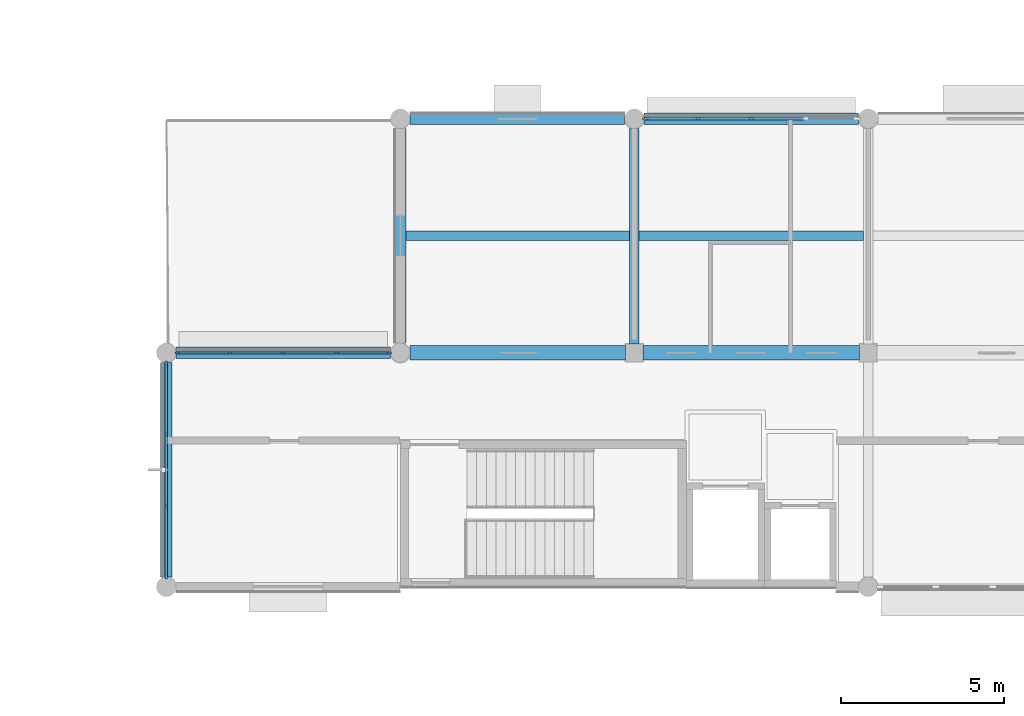
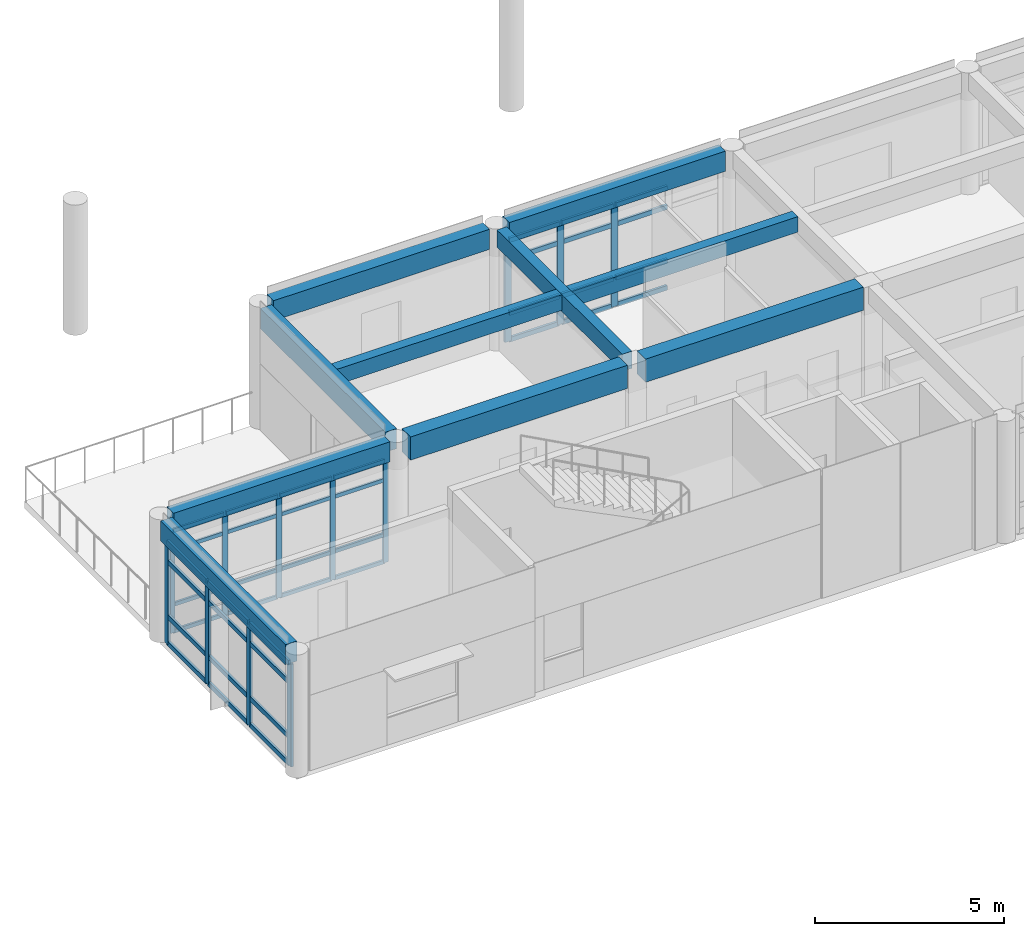
# One storey, part 3 of 29: 52 members, 10 beams, 3 elements without a shape of their own.
"""IFC4 building model written with IfcOpenShell, lengths in metres."""

from ifc_helpers import new_model, si_unit, direction, frame, origin, origin_2d, place, context, subcontext, project, spatial, rectangle, extrude, material, layer, layer_set, material_profile, profile_set, type_object, element, aggregate, save


model = new_model("IFC4")

# Units and contexts
model_context = context("Model", 3, precision=1e-05, world=origin(), true_north=direction((0.0, 1.0)))
body_context = subcontext(model_context, "Body", "Model", "MODEL_VIEW")
ifc_project = project(units=[si_unit("LENGTHUNIT", "METRE"), si_unit("AREAUNIT", "SQUARE_METRE"), si_unit("VOLUMEUNIT", "CUBIC_METRE"), si_unit("PLANEANGLEUNIT", "RADIAN"), si_unit("MASSUNIT", "GRAM", prefix="KILO")], contexts=[model_context])

# Site, building, storey
site_placement = place(None, origin())
site = spatial("IfcSite", under=ifc_project, at=site_placement, CompositionType="ELEMENT")
building_placement = place(site_placement, origin())
building = spatial("IfcBuilding", under=site, at=building_placement, Name="Namkhue Oval Health Centre", CompositionType="ELEMENT")
storey_placement = place(building_placement, frame((0.0, 0.0, 18.0)))
storey = spatial("IfcBuildingStorey", under=building, at=storey_placement, Name="L04", CompositionType="ELEMENT", Elevation=18.0)

# Curtain wall, members
ifc_material_1 = material(Name="Anodised aluminium EN AW-6063 T6", Category="aluminium")
ifc_layer_1 = layer(ifc_material_1, 0.159912109375)
ifc_layer_set_1 = layer_set([ifc_layer_1], Name="Anodised aluminium EN AW-6063 T6")
curtain_wall_type_1 = type_object("IfcCurtainWallType", Name="UNITISED CURTAIN WALL M1800", PredefinedType="NOTDEFINED", material=ifc_layer_set_1)
curtain_wall_1_placement = place(storey_placement, origin())
curtain_wall_1 = element("IfcCurtainWall", 1, at=curtain_wall_1_placement, inside=storey, type_object=curtain_wall_type_1, Name="Volume V2 L04 Unitised Curtain Wall 83", PredefinedType="NOTDEFINED")
ifc_material_profile_1 = material_profile(ifc_material_1, rectangle(XDim=0.06494140625, YDim=0.159912109375, at=origin_2d()), Name="ALU 65x160")
ifc_profile_set_1 = profile_set([ifc_material_profile_1], Name="Anodised aluminium EN AW-6063 T6")
member_type_1 = type_object("IfcMemberType", Name="CURTAIN WALL MULLION 65X160", PredefinedType="MULLION", material=ifc_profile_set_1)
member_1_placement = place(storey_placement, frame((57.257568359375, 97.199951171875, 0.0), z_axis=(0.0, 0.0, 1.0), x_axis=(0.0, -1.0, 0.0)))
member_1 = element("IfcMember", 2, at=member_1_placement, type_object=member_type_1, Name="CW-05 mullion 1", PredefinedType="MULLION", context=body_context, shape_type="SweptSolid", body=[
    extrude(rectangle(XDim=0.06494140625, YDim=0.159912109375, at=origin_2d()), origin(), (0.0, 0.0, 1.0), 3.318115234375),
])
member_2_placement = place(storey_placement, frame((55.64501953125, 97.199951171875, 0.0), z_axis=(0.0, 0.0, 1.0), x_axis=(0.0, -1.0, 0.0)))
member_2 = element("IfcMember", 3, at=member_2_placement, type_object=member_type_1, Name="CW-05 mullion 2", PredefinedType="MULLION", context=body_context, shape_type="SweptSolid", body=[
    extrude(rectangle(XDim=0.06494140625, YDim=0.159912109375, at=origin_2d()), origin(), (0.0, 0.0, 1.0), 3.318115234375),
])
member_3_placement = place(storey_placement, frame((54.0, 97.199951171875, 0.0), z_axis=(0.0, 0.0, 1.0), x_axis=(0.0, -1.0, 0.0)))
member_3 = element("IfcMember", 4, at=member_3_placement, type_object=member_type_1, Name="CW-05 mullion 3", PredefinedType="MULLION", context=body_context, shape_type="SweptSolid", body=[
    extrude(rectangle(XDim=0.06494140625, YDim=0.159912109375, at=origin_2d()), origin(), (0.0, 0.0, 1.0), 3.318115234375),
])
member_4_placement = place(storey_placement, frame((52.35498046875, 97.199951171875, 0.0), z_axis=(0.0, 0.0, 1.0), x_axis=(0.0, -1.0, 0.0)))
member_4 = element("IfcMember", 5, at=member_4_placement, type_object=member_type_1, Name="CW-05 mullion 4", PredefinedType="MULLION", context=body_context, shape_type="SweptSolid", body=[
    extrude(rectangle(XDim=0.06494140625, YDim=0.159912109375, at=origin_2d()), origin(), (0.0, 0.0, 1.0), 3.318115234375),
])
member_5_placement = place(storey_placement, frame((50.742431640625, 97.199951171875, 0.0), z_axis=(0.0, 0.0, 1.0), x_axis=(0.0, -1.0, 0.0)))
member_5 = element("IfcMember", 6, at=member_5_placement, type_object=member_type_1, Name="CW-05 mullion 5", PredefinedType="MULLION", context=body_context, shape_type="SweptSolid", body=[
    extrude(rectangle(XDim=0.06494140625, YDim=0.159912109375, at=origin_2d()), origin(), (0.0, 0.0, 1.0), 3.318115234375),
])

ifc_layer_2 = layer(ifc_material_1, 0.159912109375)
ifc_layer_set_2 = layer_set([ifc_layer_2], Name="Anodised aluminium EN AW-6063 T6")
curtain_wall_type_2 = type_object("IfcCurtainWallType", Name="UNITISED CURTAIN WALL M1600", PredefinedType="NOTDEFINED", material=ifc_layer_set_2)
curtain_wall_2_placement = place(storey_placement, origin())
curtain_wall_2 = element("IfcCurtainWall", 7, at=curtain_wall_2_placement, inside=storey, type_object=curtain_wall_type_2, Name="Volume V2 L04 Unitised Curtain Wall 82", PredefinedType="NOTDEFINED")
ifc_material_profile_2 = material_profile(ifc_material_1, rectangle(XDim=0.074951171875, YDim=0.199951171875, at=origin_2d()), Name="ALU 75x200")
ifc_profile_set_2 = profile_set([ifc_material_profile_2], Name="Anodised aluminium EN AW-6063 T6")
member_type_2 = type_object("IfcMemberType", Name="CURTAIN WALL MULLION 75X200", PredefinedType="MULLION", material=ifc_profile_set_2)
member_6_placement = place(storey_placement, frame((68.39990234375, 104.39990234375, 0.0), z_axis=(0.0, 0.0, 1.0), x_axis=(0.0, -1.0, 0.0)))
member_6 = element("IfcMember", 8, at=member_6_placement, type_object=member_type_2, Name="CW-04 mullion 3", PredefinedType="MULLION", context=body_context, shape_type="SweptSolid", body=[
    extrude(rectangle(XDim=0.074951171875, YDim=0.199951171875, at=origin_2d()), origin(), (0.0, 0.0, 1.0), 3.2900390625),
])
member_7_placement = place(storey_placement, frame((66.7548828125, 104.39990234375, 0.0), z_axis=(0.0, 0.0, 1.0), x_axis=(0.0, -1.0, 0.0)))
member_7 = element("IfcMember", 9, at=member_7_placement, type_object=member_type_2, Name="CW-04 mullion 4", PredefinedType="MULLION", context=body_context, shape_type="SweptSolid", body=[
    extrude(rectangle(XDim=0.074951171875, YDim=0.199951171875, at=origin_2d()), origin(), (0.0, 0.0, 1.0), 3.2900390625),
])
member_8_placement = place(storey_placement, frame((65.1474609375, 104.39990234375, 0.0), z_axis=(0.0, 0.0, 1.0), x_axis=(0.0, -1.0, 0.0)))
member_8 = element("IfcMember", 10, at=member_8_placement, type_object=member_type_2, Name="CW-04 mullion 5", PredefinedType="MULLION", context=body_context, shape_type="SweptSolid", body=[
    extrude(rectangle(XDim=0.074951171875, YDim=0.199951171875, at=origin_2d()), origin(), (0.0, 0.0, 1.0), 3.2900390625),
])

ifc_layer_3 = layer(ifc_material_1, 0.159912109375)
ifc_layer_set_3 = layer_set([ifc_layer_3], Name="Anodised aluminium EN AW-6063 T6")
curtain_wall_type_3 = type_object("IfcCurtainWallType", Name="UNITISED CURTAIN WALL M2000", PredefinedType="NOTDEFINED", material=ifc_layer_set_3)
curtain_wall_3_placement = place(storey_placement, origin())
curtain_wall_3 = element("IfcCurtainWall", 11, at=curtain_wall_3_placement, inside=storey, type_object=curtain_wall_type_3, Name="Volume V2 L04 Unitised Curtain Wall 84", PredefinedType="NOTDEFINED")
member_9_placement = place(storey_placement, frame((50.39990234375, 96.8525390625, 0.0), z_axis=(0.0, 0.0, 1.0), x_axis=(1.0, 0.0, 0.0)))
member_9 = element("IfcMember", 12, at=member_9_placement, type_object=member_type_2, Name="CW-06 mullion 1", PredefinedType="MULLION", context=body_context, shape_type="SweptSolid", body=[
    extrude(rectangle(XDim=0.074951171875, YDim=0.199951171875, at=origin_2d()), origin(), (0.0, 0.0, 1.0), 3.318115234375),
])
member_10_placement = place(storey_placement, frame((50.39990234375, 94.69677734375, 0.0), z_axis=(0.0, 0.0, 1.0), x_axis=(1.0, 0.0, 0.0)))
member_10 = element("IfcMember", 13, at=member_10_placement, type_object=member_type_2, Name="CW-06 mullion 2", PredefinedType="MULLION", context=body_context, shape_type="SweptSolid", body=[
    extrude(rectangle(XDim=0.074951171875, YDim=0.199951171875, at=origin_2d()), origin(), (0.0, 0.0, 1.0), 3.318115234375),
])
member_11_placement = place(storey_placement, frame((50.39990234375, 92.50341796875, 0.0), z_axis=(0.0, 0.0, 1.0), x_axis=(1.0, 0.0, 0.0)))
member_11 = element("IfcMember", 14, at=member_11_placement, type_object=member_type_2, Name="CW-06 mullion 3", PredefinedType="MULLION", context=body_context, shape_type="SweptSolid", body=[
    extrude(rectangle(XDim=0.074951171875, YDim=0.199951171875, at=origin_2d()), origin(), (0.0, 0.0, 1.0), 3.318115234375),
])
member_12_placement = place(storey_placement, frame((50.39990234375, 90.347412109375, 0.0), z_axis=(0.0, 0.0, 1.0), x_axis=(1.0, 0.0, 0.0)))
member_12 = element("IfcMember", 15, at=member_12_placement, type_object=member_type_2, Name="CW-06 mullion 4", PredefinedType="MULLION", context=body_context, shape_type="SweptSolid", body=[
    extrude(rectangle(XDim=0.074951171875, YDim=0.199951171875, at=origin_2d()), origin(), (0.0, 0.0, 1.0), 3.318115234375),
])

# Member
ifc_material_profile_3 = material_profile(ifc_material_1, rectangle(XDim=0.06494140625, YDim=0.1201171875, at=origin_2d()), Name="ALU 65x120")
ifc_profile_set_3 = profile_set([ifc_material_profile_3], Name="Anodised aluminium EN AW-6063 T6")
member_type_3 = type_object("IfcMemberType", Name="CURTAIN WALL TRANSOM 65X120", PredefinedType="USERDEFINED", material=ifc_profile_set_3)
member_13_placement = place(storey_placement, frame((57.22509765625, 97.199951171875, 0.032470703125), z_axis=(-1.0, 0.0, 0.0), x_axis=(0.0, -1.0, 0.0)))
member_13 = element("IfcMember", 16, at=member_13_placement, type_object=member_type_3, Name="CW-05 transom 1.1", ObjectType="TRANSOM", PredefinedType="USERDEFINED", context=body_context, shape_type="SweptSolid", body=[
    extrude(rectangle(XDim=0.06494140625, YDim=0.1201171875, at=origin_2d()), origin(), (0.0, 0.0, 1.0), 1.547607421875),
])

member_14_placement = place(storey_placement, frame((57.22509765625, 97.199951171875, 0.89990234375), z_axis=(-1.0, 0.0, 0.0), x_axis=(0.0, -1.0, 0.0)))
member_14 = element("IfcMember", 17, at=member_14_placement, type_object=member_type_3, Name="CW-05 transom 1.2", ObjectType="TRANSOM", PredefinedType="USERDEFINED", context=body_context, shape_type="SweptSolid", body=[
    extrude(rectangle(XDim=0.06494140625, YDim=0.1201171875, at=origin_2d()), origin(), (0.0, 0.0, 1.0), 1.547607421875),
])

member_15_placement = place(storey_placement, frame((57.22509765625, 97.199951171875, 2.66796875), z_axis=(-1.0, 0.0, 0.0), x_axis=(0.0, -1.0, 0.0)))
member_15 = element("IfcMember", 18, at=member_15_placement, type_object=member_type_3, Name="CW-05 transom 1.3", ObjectType="TRANSOM", PredefinedType="USERDEFINED", context=body_context, shape_type="SweptSolid", body=[
    extrude(rectangle(XDim=0.06494140625, YDim=0.1201171875, at=origin_2d()), origin(), (0.0, 0.0, 1.0), 1.547607421875),
])

member_16_placement = place(storey_placement, frame((57.22509765625, 97.199951171875, 3.285400390625), z_axis=(-1.0, 0.0, 0.0), x_axis=(0.0, -1.0, 0.0)))
member_16 = element("IfcMember", 19, at=member_16_placement, type_object=member_type_3, Name="CW-05 transom 1.4", ObjectType="TRANSOM", PredefinedType="USERDEFINED", context=body_context, shape_type="SweptSolid", body=[
    extrude(rectangle(XDim=0.06494140625, YDim=0.1201171875, at=origin_2d()), origin(), (0.0, 0.0, 1.0), 1.547607421875),
])

member_17_placement = place(storey_placement, frame((55.612548828125, 97.199951171875, 0.032470703125), z_axis=(-1.0, 0.0, 0.0), x_axis=(0.0, -1.0, 0.0)))
member_17 = element("IfcMember", 20, at=member_17_placement, type_object=member_type_3, Name="CW-05 transom 2.1", ObjectType="TRANSOM", PredefinedType="USERDEFINED", context=body_context, shape_type="SweptSolid", body=[
    extrude(rectangle(XDim=0.06494140625, YDim=0.1201171875, at=origin_2d()), origin(), (0.0, 0.0, 1.0), 1.580078125),
])

member_18_placement = place(storey_placement, frame((55.612548828125, 97.199951171875, 0.89990234375), z_axis=(-1.0, 0.0, 0.0), x_axis=(0.0, -1.0, 0.0)))
member_18 = element("IfcMember", 21, at=member_18_placement, type_object=member_type_3, Name="CW-05 transom 2.2", ObjectType="TRANSOM", PredefinedType="USERDEFINED", context=body_context, shape_type="SweptSolid", body=[
    extrude(rectangle(XDim=0.06494140625, YDim=0.1201171875, at=origin_2d()), origin(), (0.0, 0.0, 1.0), 1.580078125),
])

member_19_placement = place(storey_placement, frame((55.612548828125, 97.199951171875, 2.66796875), z_axis=(-1.0, 0.0, 0.0), x_axis=(0.0, -1.0, 0.0)))
member_19 = element("IfcMember", 22, at=member_19_placement, type_object=member_type_3, Name="CW-05 transom 2.3", ObjectType="TRANSOM", PredefinedType="USERDEFINED", context=body_context, shape_type="SweptSolid", body=[
    extrude(rectangle(XDim=0.06494140625, YDim=0.1201171875, at=origin_2d()), origin(), (0.0, 0.0, 1.0), 1.580078125),
])

member_20_placement = place(storey_placement, frame((55.612548828125, 97.199951171875, 3.285400390625), z_axis=(-1.0, 0.0, 0.0), x_axis=(0.0, -1.0, 0.0)))
member_20 = element("IfcMember", 23, at=member_20_placement, type_object=member_type_3, Name="CW-05 transom 2.4", ObjectType="TRANSOM", PredefinedType="USERDEFINED", context=body_context, shape_type="SweptSolid", body=[
    extrude(rectangle(XDim=0.06494140625, YDim=0.1201171875, at=origin_2d()), origin(), (0.0, 0.0, 1.0), 1.580078125),
])

member_21_placement = place(storey_placement, frame((53.967529296875, 97.199951171875, 0.032470703125), z_axis=(-1.0, 0.0, 0.0), x_axis=(0.0, -1.0, 0.0)))
member_21 = element("IfcMember", 24, at=member_21_placement, type_object=member_type_3, Name="CW-05 transom 3.1", ObjectType="TRANSOM", PredefinedType="USERDEFINED", context=body_context, shape_type="SweptSolid", body=[
    extrude(rectangle(XDim=0.06494140625, YDim=0.1201171875, at=origin_2d()), origin(), (0.0, 0.0, 1.0), 1.580078125),
])

member_22_placement = place(storey_placement, frame((53.967529296875, 97.199951171875, 0.89990234375), z_axis=(-1.0, 0.0, 0.0), x_axis=(0.0, -1.0, 0.0)))
member_22 = element("IfcMember", 25, at=member_22_placement, type_object=member_type_3, Name="CW-05 transom 3.2", ObjectType="TRANSOM", PredefinedType="USERDEFINED", context=body_context, shape_type="SweptSolid", body=[
    extrude(rectangle(XDim=0.06494140625, YDim=0.1201171875, at=origin_2d()), origin(), (0.0, 0.0, 1.0), 1.580078125),
])

member_23_placement = place(storey_placement, frame((53.967529296875, 97.199951171875, 2.66796875), z_axis=(-1.0, 0.0, 0.0), x_axis=(0.0, -1.0, 0.0)))
member_23 = element("IfcMember", 26, at=member_23_placement, type_object=member_type_3, Name="CW-05 transom 3.3", ObjectType="TRANSOM", PredefinedType="USERDEFINED", context=body_context, shape_type="SweptSolid", body=[
    extrude(rectangle(XDim=0.06494140625, YDim=0.1201171875, at=origin_2d()), origin(), (0.0, 0.0, 1.0), 1.580078125),
])

member_24_placement = place(storey_placement, frame((53.967529296875, 97.199951171875, 3.285400390625), z_axis=(-1.0, 0.0, 0.0), x_axis=(0.0, -1.0, 0.0)))
member_24 = element("IfcMember", 27, at=member_24_placement, type_object=member_type_3, Name="CW-05 transom 3.4", ObjectType="TRANSOM", PredefinedType="USERDEFINED", context=body_context, shape_type="SweptSolid", body=[
    extrude(rectangle(XDim=0.06494140625, YDim=0.1201171875, at=origin_2d()), origin(), (0.0, 0.0, 1.0), 1.580078125),
])

member_25_placement = place(storey_placement, frame((52.322509765625, 97.199951171875, 0.032470703125), z_axis=(-1.0, 0.0, 0.0), x_axis=(0.0, -1.0, 0.0)))
member_25 = element("IfcMember", 28, at=member_25_placement, type_object=member_type_3, Name="CW-05 transom 4.1", ObjectType="TRANSOM", PredefinedType="USERDEFINED", context=body_context, shape_type="SweptSolid", body=[
    extrude(rectangle(XDim=0.06494140625, YDim=0.1201171875, at=origin_2d()), origin(), (0.0, 0.0, 1.0), 1.547607421875),
])

member_26_placement = place(storey_placement, frame((52.322509765625, 97.199951171875, 0.89990234375), z_axis=(-1.0, 0.0, 0.0), x_axis=(0.0, -1.0, 0.0)))
member_26 = element("IfcMember", 29, at=member_26_placement, type_object=member_type_3, Name="CW-05 transom 4.2", ObjectType="TRANSOM", PredefinedType="USERDEFINED", context=body_context, shape_type="SweptSolid", body=[
    extrude(rectangle(XDim=0.06494140625, YDim=0.1201171875, at=origin_2d()), origin(), (0.0, 0.0, 1.0), 1.547607421875),
])

member_27_placement = place(storey_placement, frame((52.322509765625, 97.199951171875, 2.66796875), z_axis=(-1.0, 0.0, 0.0), x_axis=(0.0, -1.0, 0.0)))
member_27 = element("IfcMember", 30, at=member_27_placement, type_object=member_type_3, Name="CW-05 transom 4.3", ObjectType="TRANSOM", PredefinedType="USERDEFINED", context=body_context, shape_type="SweptSolid", body=[
    extrude(rectangle(XDim=0.06494140625, YDim=0.1201171875, at=origin_2d()), origin(), (0.0, 0.0, 1.0), 1.547607421875),
])

member_28_placement = place(storey_placement, frame((52.322509765625, 97.199951171875, 3.285400390625), z_axis=(-1.0, 0.0, 0.0), x_axis=(0.0, -1.0, 0.0)))
member_28 = element("IfcMember", 31, at=member_28_placement, type_object=member_type_3, Name="CW-05 transom 4.4", ObjectType="TRANSOM", PredefinedType="USERDEFINED", context=body_context, shape_type="SweptSolid", body=[
    extrude(rectangle(XDim=0.06494140625, YDim=0.1201171875, at=origin_2d()), origin(), (0.0, 0.0, 1.0), 1.547607421875),
])

aggregate(curtain_wall_1, [member_1, member_2, member_3, member_4, member_5, member_13, member_14, member_15, member_16, member_17, member_18, member_19, member_20, member_21, member_22, member_23, member_24, member_25, member_26, member_27, member_28])

ifc_material_profile_4 = material_profile(ifc_material_1, rectangle(XDim=0.074951171875, YDim=0.14990234375, at=origin_2d()), Name="ALU 75x150")
ifc_profile_set_4 = profile_set([ifc_material_profile_4], Name="Anodised aluminium EN AW-6063 T6")
member_type_4 = type_object("IfcMemberType", Name="CURTAIN WALL TRANSOM 75X150", PredefinedType="USERDEFINED", material=ifc_profile_set_4)
member_29_placement = place(storey_placement, frame((70.007568359375, 104.39990234375, 0.03759765625), z_axis=(-1.0, 0.0, 0.0), x_axis=(0.0, -1.0, 0.0)))
member_29 = element("IfcMember", 32, at=member_29_placement, type_object=member_type_4, Name="CW-04 transom 2.1", ObjectType="TRANSOM", PredefinedType="USERDEFINED", context=body_context, shape_type="SweptSolid", body=[
    extrude(rectangle(XDim=0.074951171875, YDim=0.14990234375, at=origin_2d()), origin(), (0.0, 0.0, 1.0), 1.570068359375),
])

member_30_placement = place(storey_placement, frame((70.007568359375, 104.39990234375, 0.89990234375), z_axis=(-1.0, 0.0, 0.0), x_axis=(0.0, -1.0, 0.0)))
member_30 = element("IfcMember", 33, at=member_30_placement, type_object=member_type_4, Name="CW-04 transom 2.2", ObjectType="TRANSOM", PredefinedType="USERDEFINED", context=body_context, shape_type="SweptSolid", body=[
    extrude(rectangle(XDim=0.074951171875, YDim=0.14990234375, at=origin_2d()), origin(), (0.0, 0.0, 1.0), 1.570068359375),
])

member_31_placement = place(storey_placement, frame((70.007568359375, 104.39990234375, 2.639892578125), z_axis=(-1.0, 0.0, 0.0), x_axis=(0.0, -1.0, 0.0)))
member_31 = element("IfcMember", 34, at=member_31_placement, type_object=member_type_4, Name="CW-04 transom 2.3", ObjectType="TRANSOM", PredefinedType="USERDEFINED", context=body_context, shape_type="SweptSolid", body=[
    extrude(rectangle(XDim=0.074951171875, YDim=0.14990234375, at=origin_2d()), origin(), (0.0, 0.0, 1.0), 1.570068359375),
])

member_32_placement = place(storey_placement, frame((70.007568359375, 104.39990234375, 3.25244140625), z_axis=(-1.0, 0.0, 0.0), x_axis=(0.0, -1.0, 0.0)))
member_32 = element("IfcMember", 35, at=member_32_placement, type_object=member_type_4, Name="CW-04 transom 2.4", ObjectType="TRANSOM", PredefinedType="USERDEFINED", context=body_context, shape_type="SweptSolid", body=[
    extrude(rectangle(XDim=0.074951171875, YDim=0.14990234375, at=origin_2d()), origin(), (0.0, 0.0, 1.0), 1.570068359375),
])

member_33_placement = place(storey_placement, frame((68.362548828125, 104.39990234375, 0.03759765625), z_axis=(-1.0, 0.0, 0.0), x_axis=(0.0, -1.0, 0.0)))
member_33 = element("IfcMember", 36, at=member_33_placement, type_object=member_type_4, Name="CW-04 transom 3.1", ObjectType="TRANSOM", PredefinedType="USERDEFINED", context=body_context, shape_type="SweptSolid", body=[
    extrude(rectangle(XDim=0.074951171875, YDim=0.14990234375, at=origin_2d()), origin(), (0.0, 0.0, 1.0), 1.570068359375),
])

member_34_placement = place(storey_placement, frame((68.362548828125, 104.39990234375, 0.89990234375), z_axis=(-1.0, 0.0, 0.0), x_axis=(0.0, -1.0, 0.0)))
member_34 = element("IfcMember", 37, at=member_34_placement, type_object=member_type_4, Name="CW-04 transom 3.2", ObjectType="TRANSOM", PredefinedType="USERDEFINED", context=body_context, shape_type="SweptSolid", body=[
    extrude(rectangle(XDim=0.074951171875, YDim=0.14990234375, at=origin_2d()), origin(), (0.0, 0.0, 1.0), 1.570068359375),
])

member_35_placement = place(storey_placement, frame((68.362548828125, 104.39990234375, 2.639892578125), z_axis=(-1.0, 0.0, 0.0), x_axis=(0.0, -1.0, 0.0)))
member_35 = element("IfcMember", 38, at=member_35_placement, type_object=member_type_4, Name="CW-04 transom 3.3", ObjectType="TRANSOM", PredefinedType="USERDEFINED", context=body_context, shape_type="SweptSolid", body=[
    extrude(rectangle(XDim=0.074951171875, YDim=0.14990234375, at=origin_2d()), origin(), (0.0, 0.0, 1.0), 1.570068359375),
])

member_36_placement = place(storey_placement, frame((68.362548828125, 104.39990234375, 3.25244140625), z_axis=(-1.0, 0.0, 0.0), x_axis=(0.0, -1.0, 0.0)))
member_36 = element("IfcMember", 39, at=member_36_placement, type_object=member_type_4, Name="CW-04 transom 3.4", ObjectType="TRANSOM", PredefinedType="USERDEFINED", context=body_context, shape_type="SweptSolid", body=[
    extrude(rectangle(XDim=0.074951171875, YDim=0.14990234375, at=origin_2d()), origin(), (0.0, 0.0, 1.0), 1.570068359375),
])

member_37_placement = place(storey_placement, frame((66.717529296875, 104.39990234375, 0.03759765625), z_axis=(-1.0, 0.0, 0.0), x_axis=(0.0, -1.0, 0.0)))
member_37 = element("IfcMember", 40, at=member_37_placement, type_object=member_type_4, Name="CW-04 transom 4.1", ObjectType="TRANSOM", PredefinedType="USERDEFINED", context=body_context, shape_type="SweptSolid", body=[
    extrude(rectangle(XDim=0.074951171875, YDim=0.14990234375, at=origin_2d()), origin(), (0.0, 0.0, 1.0), 1.532470703125),
])

member_38_placement = place(storey_placement, frame((66.717529296875, 104.39990234375, 0.89990234375), z_axis=(-1.0, 0.0, 0.0), x_axis=(0.0, -1.0, 0.0)))
member_38 = element("IfcMember", 41, at=member_38_placement, type_object=member_type_4, Name="CW-04 transom 4.2", ObjectType="TRANSOM", PredefinedType="USERDEFINED", context=body_context, shape_type="SweptSolid", body=[
    extrude(rectangle(XDim=0.074951171875, YDim=0.14990234375, at=origin_2d()), origin(), (0.0, 0.0, 1.0), 1.532470703125),
])

member_39_placement = place(storey_placement, frame((66.717529296875, 104.39990234375, 2.639892578125), z_axis=(-1.0, 0.0, 0.0), x_axis=(0.0, -1.0, 0.0)))
member_39 = element("IfcMember", 42, at=member_39_placement, type_object=member_type_4, Name="CW-04 transom 4.3", ObjectType="TRANSOM", PredefinedType="USERDEFINED", context=body_context, shape_type="SweptSolid", body=[
    extrude(rectangle(XDim=0.074951171875, YDim=0.14990234375, at=origin_2d()), origin(), (0.0, 0.0, 1.0), 1.532470703125),
])

member_40_placement = place(storey_placement, frame((66.717529296875, 104.39990234375, 3.25244140625), z_axis=(-1.0, 0.0, 0.0), x_axis=(0.0, -1.0, 0.0)))
member_40 = element("IfcMember", 43, at=member_40_placement, type_object=member_type_4, Name="CW-04 transom 4.4", ObjectType="TRANSOM", PredefinedType="USERDEFINED", context=body_context, shape_type="SweptSolid", body=[
    extrude(rectangle(XDim=0.074951171875, YDim=0.14990234375, at=origin_2d()), origin(), (0.0, 0.0, 1.0), 1.532470703125),
])

aggregate(curtain_wall_2, [member_6, member_7, member_8, member_29, member_30, member_31, member_32, member_33, member_34, member_35, member_36, member_37, member_38, member_39, member_40])

member_41_placement = place(storey_placement, frame((50.39990234375, 96.81494140625, 0.03759765625), z_axis=(0.0, -1.0, 0.0), x_axis=(1.0, 0.0, 0.0)))
member_41 = element("IfcMember", 44, at=member_41_placement, type_object=member_type_4, Name="CW-06 transom 1.1", ObjectType="TRANSOM", PredefinedType="USERDEFINED", context=body_context, shape_type="SweptSolid", body=[
    extrude(rectangle(XDim=0.074951171875, YDim=0.14990234375, at=origin_2d()), origin(), (0.0, 0.0, 1.0), 2.080810546875),
])

member_42_placement = place(storey_placement, frame((50.39990234375, 96.81494140625, 0.89990234375), z_axis=(0.0, -1.0, 0.0), x_axis=(1.0, 0.0, 0.0)))
member_42 = element("IfcMember", 45, at=member_42_placement, type_object=member_type_4, Name="CW-06 transom 1.2", ObjectType="TRANSOM", PredefinedType="USERDEFINED", context=body_context, shape_type="SweptSolid", body=[
    extrude(rectangle(XDim=0.074951171875, YDim=0.14990234375, at=origin_2d()), origin(), (0.0, 0.0, 1.0), 2.080810546875),
])

member_43_placement = place(storey_placement, frame((50.39990234375, 96.81494140625, 2.66796875), z_axis=(0.0, -1.0, 0.0), x_axis=(1.0, 0.0, 0.0)))
member_43 = element("IfcMember", 46, at=member_43_placement, type_object=member_type_4, Name="CW-06 transom 1.3", ObjectType="TRANSOM", PredefinedType="USERDEFINED", context=body_context, shape_type="SweptSolid", body=[
    extrude(rectangle(XDim=0.074951171875, YDim=0.14990234375, at=origin_2d()), origin(), (0.0, 0.0, 1.0), 2.080810546875),
])

member_44_placement = place(storey_placement, frame((50.39990234375, 96.81494140625, 3.280517578125), z_axis=(0.0, -1.0, 0.0), x_axis=(1.0, 0.0, 0.0)))
member_44 = element("IfcMember", 47, at=member_44_placement, type_object=member_type_4, Name="CW-06 transom 1.4", ObjectType="TRANSOM", PredefinedType="USERDEFINED", context=body_context, shape_type="SweptSolid", body=[
    extrude(rectangle(XDim=0.074951171875, YDim=0.14990234375, at=origin_2d()), origin(), (0.0, 0.0, 1.0), 2.080810546875),
])

member_45_placement = place(storey_placement, frame((50.39990234375, 94.6591796875, 0.03759765625), z_axis=(0.0, -1.0, 0.0), x_axis=(1.0, 0.0, 0.0)))
member_45 = element("IfcMember", 48, at=member_45_placement, type_object=member_type_4, Name="CW-06 transom 2.1", ObjectType="TRANSOM", PredefinedType="USERDEFINED", context=body_context, shape_type="SweptSolid", body=[
    extrude(rectangle(XDim=0.074951171875, YDim=0.14990234375, at=origin_2d()), origin(), (0.0, 0.0, 1.0), 2.118408203125),
])

member_46_placement = place(storey_placement, frame((50.39990234375, 94.6591796875, 0.89990234375), z_axis=(0.0, -1.0, 0.0), x_axis=(1.0, 0.0, 0.0)))
member_46 = element("IfcMember", 49, at=member_46_placement, type_object=member_type_4, Name="CW-06 transom 2.2", ObjectType="TRANSOM", PredefinedType="USERDEFINED", context=body_context, shape_type="SweptSolid", body=[
    extrude(rectangle(XDim=0.074951171875, YDim=0.14990234375, at=origin_2d()), origin(), (0.0, 0.0, 1.0), 2.118408203125),
])

member_47_placement = place(storey_placement, frame((50.39990234375, 94.6591796875, 2.66796875), z_axis=(0.0, -1.0, 0.0), x_axis=(1.0, 0.0, 0.0)))
member_47 = element("IfcMember", 50, at=member_47_placement, type_object=member_type_4, Name="CW-06 transom 2.3", ObjectType="TRANSOM", PredefinedType="USERDEFINED", context=body_context, shape_type="SweptSolid", body=[
    extrude(rectangle(XDim=0.074951171875, YDim=0.14990234375, at=origin_2d()), origin(), (0.0, 0.0, 1.0), 2.118408203125),
])

member_48_placement = place(storey_placement, frame((50.39990234375, 94.6591796875, 3.280517578125), z_axis=(0.0, -1.0, 0.0), x_axis=(1.0, 0.0, 0.0)))
member_48 = element("IfcMember", 51, at=member_48_placement, type_object=member_type_4, Name="CW-06 transom 2.4", ObjectType="TRANSOM", PredefinedType="USERDEFINED", context=body_context, shape_type="SweptSolid", body=[
    extrude(rectangle(XDim=0.074951171875, YDim=0.14990234375, at=origin_2d()), origin(), (0.0, 0.0, 1.0), 2.118408203125),
])

member_49_placement = place(storey_placement, frame((50.39990234375, 92.4658203125, 0.03759765625), z_axis=(0.0, -1.0, 0.0), x_axis=(1.0, 0.0, 0.0)))
member_49 = element("IfcMember", 52, at=member_49_placement, type_object=member_type_4, Name="CW-06 transom 3.1", ObjectType="TRANSOM", PredefinedType="USERDEFINED", context=body_context, shape_type="SweptSolid", body=[
    extrude(rectangle(XDim=0.074951171875, YDim=0.14990234375, at=origin_2d()), origin(), (0.0, 0.0, 1.0), 2.080810546875),
])

member_50_placement = place(storey_placement, frame((50.39990234375, 92.4658203125, 0.89990234375), z_axis=(0.0, -1.0, 0.0), x_axis=(1.0, 0.0, 0.0)))
member_50 = element("IfcMember", 53, at=member_50_placement, type_object=member_type_4, Name="CW-06 transom 3.2", ObjectType="TRANSOM", PredefinedType="USERDEFINED", context=body_context, shape_type="SweptSolid", body=[
    extrude(rectangle(XDim=0.074951171875, YDim=0.14990234375, at=origin_2d()), origin(), (0.0, 0.0, 1.0), 2.080810546875),
])

member_51_placement = place(storey_placement, frame((50.39990234375, 92.4658203125, 2.66796875), z_axis=(0.0, -1.0, 0.0), x_axis=(1.0, 0.0, 0.0)))
member_51 = element("IfcMember", 54, at=member_51_placement, type_object=member_type_4, Name="CW-06 transom 3.3", ObjectType="TRANSOM", PredefinedType="USERDEFINED", context=body_context, shape_type="SweptSolid", body=[
    extrude(rectangle(XDim=0.074951171875, YDim=0.14990234375, at=origin_2d()), origin(), (0.0, 0.0, 1.0), 2.080810546875),
])

member_52_placement = place(storey_placement, frame((50.39990234375, 92.4658203125, 3.280517578125), z_axis=(0.0, -1.0, 0.0), x_axis=(1.0, 0.0, 0.0)))
member_52 = element("IfcMember", 55, at=member_52_placement, type_object=member_type_4, Name="CW-06 transom 3.4", ObjectType="TRANSOM", PredefinedType="USERDEFINED", context=body_context, shape_type="SweptSolid", body=[
    extrude(rectangle(XDim=0.074951171875, YDim=0.14990234375, at=origin_2d()), origin(), (0.0, 0.0, 1.0), 2.080810546875),
])

aggregate(curtain_wall_3, [member_9, member_10, member_11, member_12, member_41, member_42, member_43, member_44, member_45, member_46, member_47, member_48, member_49, member_50, member_51, member_52])

# Beams
ifc_material_2 = material(Name="Reinforced concrete C30/37 (TCVN B35)", Category="concrete")
ifc_material_profile_5 = material_profile(ifc_material_2, rectangle(XDim=0.300048828125, YDim=0.550048828125, at=origin_2d()), Name="RC 300x550")
ifc_profile_set_5 = profile_set([ifc_material_profile_5], Name="Reinforced concrete C30/37 (TCVN B35)")
beam_type_1 = type_object("IfcBeamType", Name="FLOOR BEAM RC 300X550", PredefinedType="BEAM", material=ifc_profile_set_5)
beam_1_placement = place(storey_placement, frame((64.800048828125, 97.47509765625, 3.6650390625), z_axis=(0.0, 1.0, 0.0), x_axis=(-1.0, 0.0, 0.0)))
element("IfcBeam", 56, at=beam_1_placement, inside=storey, type_object=beam_type_1, Name="Volume V2 L05 Beam 10/O-P", PredefinedType="BEAM", context=body_context, shape_type="SweptSolid", body=[
    extrude(rectangle(XDim=0.300048828125, YDim=0.550048828125, at=origin_2d()), origin(), (0.0, 0.0, 1.0), 6.625),
])
ifc_material_3 = material(Name="Reinforced concrete C35/45 (TCVN B40)", Category="concrete")
ifc_material_profile_6 = material_profile(ifc_material_3, rectangle(XDim=0.35009765625, YDim=0.64990234375, at=origin_2d()), Name="RC 350x650")
ifc_profile_set_6 = profile_set([ifc_material_profile_6], Name="Reinforced concrete C35/45 (TCVN B40)")
beam_type_2 = type_object("IfcBeamType", Name="PERIMETER SPANDREL BEAM 350X650", PredefinedType="SPANDREL", material=ifc_profile_set_6)
for number, where, z_axis, x_axis, name in (
    (57, (50.699951171875, 97.199951171875, 3.64306640625), (1.0, 0.0, 0.0), (0.0, 1.0, 0.0), "Volume V2 L05 Girder O/8-9"),
    (58, (57.89990234375, 104.39990234375, 3.614990234375), (1.0, 0.0, 0.0), (0.0, 1.0, 0.0), "Volume V2 L05 Girder P/9-10"),
):
    element("IfcBeam", number, at=place(storey_placement, frame(where, z_axis=z_axis, x_axis=x_axis)), inside=storey, type_object=beam_type_2, Name=name, PredefinedType="SPANDREL", context=body_context, shape_type="SweptSolid", body=[
        extrude(rectangle(XDim=0.35009765625, YDim=0.64990234375, at=origin_2d()), origin(), (0.0, 0.0, 1.0), 6.60009765625),
    ])
for number, where, z_axis, x_axis, name in (
    (59, (65.10009765625, 104.39990234375, 3.614990234375), (1.0, 0.0, 0.0), (0.0, 1.0, 0.0), "Volume V2 L05 Girder P/10-11"),
    (60, (50.39990234375, 90.300048828125, 3.64306640625), (0.0, 1.0, 0.0), (-1.0, 0.0, 0.0), "Volume V2 L05 Beam 8/N-O"),
):
    element("IfcBeam", number, at=place(storey_placement, frame(where, z_axis=z_axis, x_axis=x_axis)), inside=storey, type_object=beam_type_2, Name=name, PredefinedType="SPANDREL", context=body_context, shape_type="SweptSolid", body=[
        extrude(rectangle(XDim=0.35009765625, YDim=0.64990234375, at=origin_2d()), origin(), (0.0, 0.0, 1.0), 6.599853515625),
    ])
beam_2_placement = place(storey_placement, frame((57.60009765625, 97.5, 3.614990234375), z_axis=(0.0, 1.0, 0.0), x_axis=(-1.0, 0.0, 0.0)))
element("IfcBeam", 61, at=beam_2_placement, inside=storey, type_object=beam_type_2, Name="Volume V2 L05 Beam 9/O-P", PredefinedType="SPANDREL", context=body_context, shape_type="SweptSolid", body=[
    extrude(rectangle(XDim=0.35009765625, YDim=0.64990234375, at=origin_2d()), origin(), (0.0, 0.0, 1.0), 6.60009765625),
])
ifc_material_profile_7 = material_profile(ifc_material_3, rectangle(XDim=0.449951171875, YDim=0.75, at=origin_2d()), Name="RC 450x750")
ifc_profile_set_7 = profile_set([ifc_material_profile_7], Name="Reinforced concrete C35/45 (TCVN B40)")
beam_type_3 = type_object("IfcBeamType", Name="PRIMARY GIRDER RC 450X750", PredefinedType="USERDEFINED", material=ifc_profile_set_7)
beam_3_placement = place(storey_placement, frame((57.89990234375, 97.199951171875, 3.56494140625), z_axis=(1.0, 0.0, 0.0), x_axis=(0.0, 1.0, 0.0)))
element("IfcBeam", 62, at=beam_3_placement, inside=storey, type_object=beam_type_3, Name="Volume V2 L05 Girder O/9-10", ObjectType="GIRDER", PredefinedType="USERDEFINED", context=body_context, shape_type="SweptSolid", body=[
    extrude(rectangle(XDim=0.449951171875, YDim=0.75, at=origin_2d()), origin(), (0.0, 0.0, 1.0), 6.625),
])
beam_4_placement = place(storey_placement, frame((65.074951171875, 97.199951171875, 3.56494140625), z_axis=(1.0, 0.0, 0.0), x_axis=(0.0, 1.0, 0.0)))
element("IfcBeam", 63, at=beam_4_placement, inside=storey, type_object=beam_type_3, Name="Volume V2 L05 Girder O/10-11", ObjectType="GIRDER", PredefinedType="USERDEFINED", context=body_context, shape_type="SweptSolid", body=[
    extrude(rectangle(XDim=0.449951171875, YDim=0.75, at=origin_2d()), origin(), (0.0, 0.0, 1.0), 6.650146484375),
])
ifc_material_profile_8 = material_profile(ifc_material_2, rectangle(XDim=0.300048828125, YDim=0.5, at=origin_2d()), Name="RC 300x500")
ifc_profile_set_8 = profile_set([ifc_material_profile_8], Name="Reinforced concrete C30/37 (TCVN B35)")
beam_type_4 = type_object("IfcBeamType", Name="SECONDARY JOIST RC 300X500", PredefinedType="JOIST", material=ifc_profile_set_8)
beam_5_placement = place(storey_placement, frame((57.77490234375, 100.800048828125, 3.68994140625), z_axis=(1.0, 0.0, 0.0), x_axis=(0.0, 1.0, 0.0)))
element("IfcBeam", 64, at=beam_5_placement, inside=storey, type_object=beam_type_4, Name="Volume V2 L05 Secondary Joist 9-10", PredefinedType="JOIST", context=body_context, shape_type="SweptSolid", body=[
    extrude(rectangle(XDim=0.300048828125, YDim=0.5, at=origin_2d()), origin(), (0.0, 0.0, 1.0), 6.875),
])
beam_6_placement = place(storey_placement, frame((64.949951171875, 100.800048828125, 3.68994140625), z_axis=(1.0, 0.0, 0.0), x_axis=(0.0, 1.0, 0.0)))
element("IfcBeam", 65, at=beam_6_placement, inside=storey, type_object=beam_type_4, Name="Volume V2 L05 Secondary Joist 10-11", PredefinedType="JOIST", context=body_context, shape_type="SweptSolid", body=[
    extrude(rectangle(XDim=0.300048828125, YDim=0.5, at=origin_2d()), origin(), (0.0, 0.0, 1.0), 6.900146484375),
])

save(model, "model.ifc")
